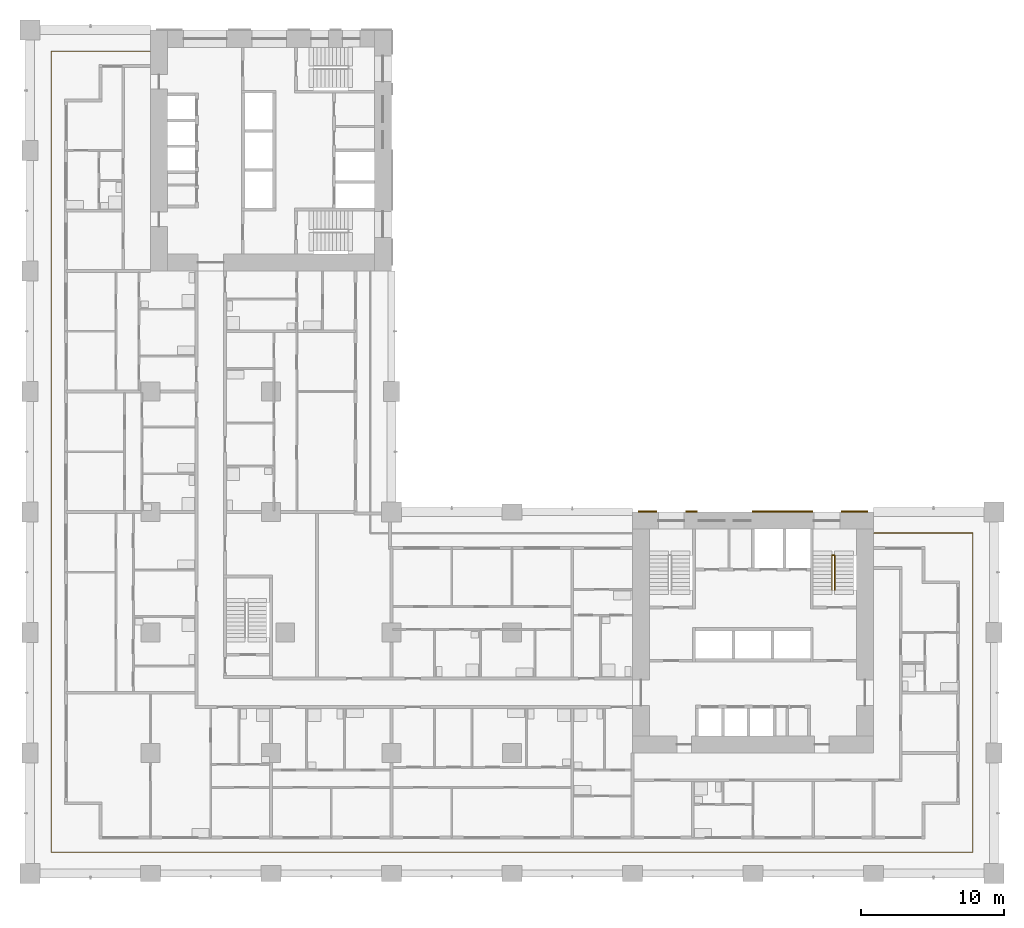
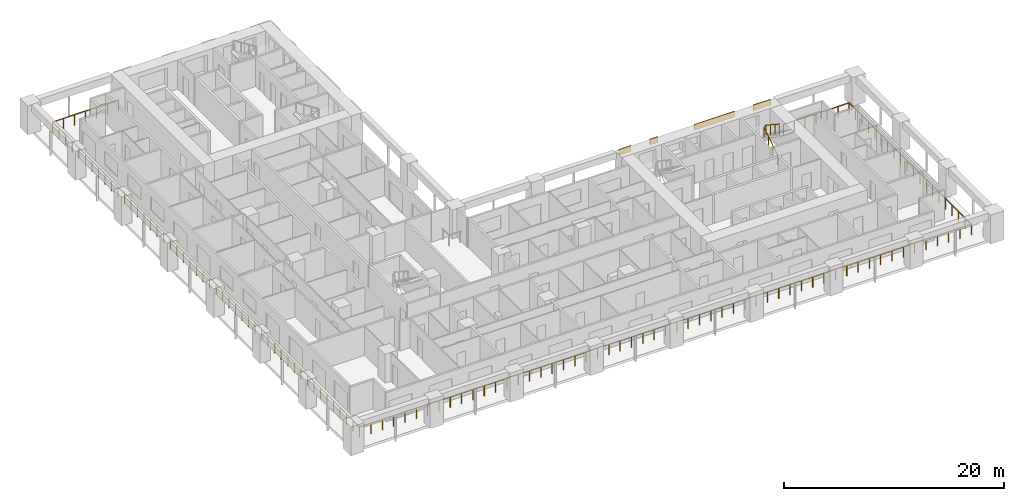
# One storey, part 14 of 19: 4 shading devices, 2 railings.
"""IFC4 building model written with IfcOpenShell, lengths in metres."""

from ifc_helpers import new_model, si_unit, direction, frame, origin, origin_2d, place, context, subcontext, project, spatial, rectangle, circle, extrude, material, layer, layer_set, type_object, element, save


model = new_model("IFC4")

# Units and contexts
model_context = context("Model", 3, precision=1e-05, world=origin(), true_north=direction((0.0, 1.0)))
body_context = subcontext(model_context, "Body", "Model", "MODEL_VIEW")
ifc_project = project(units=[si_unit("LENGTHUNIT", "METRE"), si_unit("AREAUNIT", "SQUARE_METRE"), si_unit("VOLUMEUNIT", "CUBIC_METRE"), si_unit("PLANEANGLEUNIT", "RADIAN"), si_unit("MASSUNIT", "GRAM", prefix="KILO")], contexts=[model_context])

# Site, building, storey
site_placement = place(None, origin())
site = spatial("IfcSite", under=ifc_project, at=site_placement, CompositionType="ELEMENT")
building_placement = place(site_placement, origin())
building = spatial("IfcBuilding", under=site, at=building_placement, Name="Vermilion Gate Residences", CompositionType="ELEMENT")
storey_placement = place(building_placement, frame((0.0, 0.0, 49.699951171875)))
storey = spatial("IfcBuildingStorey", under=building, at=storey_placement, Name="L11", CompositionType="ELEMENT", Elevation=49.699951171875)

# Railings
ifc_material_1 = material(Name="Stainless steel and toughened glass", Category="steel")
railing_type_1 = type_object("IfcRailingType", Name="LOGGIA GUARD STEEL AND GLASS 1200", PredefinedType="GUARDRAIL", material=ifc_material_1)
railing_1_placement = place(storey_placement, frame((8.3779296875, 57.324951171875, 0.0)))
element("IfcRailing", 1, at=railing_1_placement, inside=storey, type_object=railing_type_1, Name="Loggia guard", PredefinedType="GUARDRAIL", context=body_context, shape_type="SweptSolid", body=[
    extrude(circle(Radius=0.030029296875, at=origin_2d()), frame((0.0, 0.0, 1.169921875), z_axis=(-1.0, 0.0, 0.0), x_axis=(0.0, -1.0, 0.0)), (0.0, 0.0, 1.0), 6.90283203125),
    extrude(circle(Radius=0.030029296875, at=origin_2d()), frame((-6.90283203125, 0.0, 1.169921875), z_axis=(0.0, -1.0, 0.0), x_axis=(1.0, 0.0, 0.0)), (0.0, 0.0, 1.0), 55.849853515625),
    extrude(circle(Radius=0.030029296875, at=origin_2d()), frame((-6.90283203125, -55.849853515625, 1.169921875), z_axis=(1.0, 0.0, 0.0), x_axis=(0.0, 1.0, 0.0)), (0.0, 0.0, 1.0), 64.25),
    extrude(circle(Radius=0.030029296875, at=origin_2d()), frame((57.34716796875, -55.849853515625, 1.169921875), z_axis=(0.0, 1.0, 0.0), x_axis=(-1.0, 0.0, 0.0)), (0.0, 0.0, 1.0), 22.25),
    extrude(circle(Radius=0.030029296875, at=origin_2d()), frame((57.34716796875, -33.599853515625, 1.169921875), z_axis=(-1.0, 0.0, 0.0), x_axis=(0.0, -1.0, 0.0)), (0.0, 0.0, 1.0), 6.903076171875),
    extrude(circle(Radius=0.02490234375, at=origin_2d()), origin(), (0.0, 0.0, 1.0), 1.139892578125),
    extrude(circle(Radius=0.02490234375, at=origin_2d()), frame((-1.150390625, 0.0, 0.0)), (0.0, 0.0, 1.0), 1.139892578125),
    extrude(circle(Radius=0.02490234375, at=origin_2d()), frame((-2.301025390625, 0.0, 0.0)), (0.0, 0.0, 1.0), 1.139892578125),
    extrude(circle(Radius=0.02490234375, at=origin_2d()), frame((-3.451416015625, 0.0, 0.0)), (0.0, 0.0, 1.0), 1.139892578125),
    extrude(circle(Radius=0.02490234375, at=origin_2d()), frame((-4.601806640625, 0.0, 0.0)), (0.0, 0.0, 1.0), 1.139892578125),
    extrude(circle(Radius=0.02490234375, at=origin_2d()), frame((-5.75244140625, 0.0, 0.0)), (0.0, 0.0, 1.0), 1.139892578125),
    extrude(circle(Radius=0.02490234375, at=origin_2d()), frame((-6.90283203125, 0.0, 0.0)), (0.0, 0.0, 1.0), 1.139892578125),
    extrude(circle(Radius=0.02490234375, at=origin_2d()), frame((-6.90283203125, -1.188232421875, 0.0)), (0.0, 0.0, 1.0), 1.139892578125),
    extrude(circle(Radius=0.02490234375, at=origin_2d()), frame((-6.90283203125, -2.376708984375, 0.0)), (0.0, 0.0, 1.0), 1.139892578125),
    extrude(circle(Radius=0.02490234375, at=origin_2d()), frame((-6.90283203125, -3.56494140625, 0.0)), (0.0, 0.0, 1.0), 1.139892578125),
    extrude(circle(Radius=0.02490234375, at=origin_2d()), frame((-6.90283203125, -4.753173828125, 0.0)), (0.0, 0.0, 1.0), 1.139892578125),
    extrude(circle(Radius=0.02490234375, at=origin_2d()), frame((-6.90283203125, -5.94140625, 0.0)), (0.0, 0.0, 1.0), 1.139892578125),
    extrude(circle(Radius=0.02490234375, at=origin_2d()), frame((-6.90283203125, -7.1298828125, 0.0)), (0.0, 0.0, 1.0), 1.139892578125),
    extrude(circle(Radius=0.02490234375, at=origin_2d()), frame((-6.90283203125, -8.318115234375, 0.0)), (0.0, 0.0, 1.0), 1.139892578125),
    extrude(circle(Radius=0.02490234375, at=origin_2d()), frame((-6.90283203125, -9.50634765625, 0.0)), (0.0, 0.0, 1.0), 1.139892578125),
    extrude(circle(Radius=0.02490234375, at=origin_2d()), frame((-6.90283203125, -10.694580078125, 0.0)), (0.0, 0.0, 1.0), 1.139892578125),
    extrude(circle(Radius=0.02490234375, at=origin_2d()), frame((-6.90283203125, -11.883056640625, 0.0)), (0.0, 0.0, 1.0), 1.139892578125),
    extrude(circle(Radius=0.02490234375, at=origin_2d()), frame((-6.90283203125, -13.0712890625, 0.0)), (0.0, 0.0, 1.0), 1.139892578125),
    extrude(circle(Radius=0.02490234375, at=origin_2d()), frame((-6.90283203125, -14.259521484375, 0.0)), (0.0, 0.0, 1.0), 1.139892578125),
    extrude(circle(Radius=0.02490234375, at=origin_2d()), frame((-6.90283203125, -15.44775390625, 0.0)), (0.0, 0.0, 1.0), 1.139892578125),
    extrude(circle(Radius=0.02490234375, at=origin_2d()), frame((-6.90283203125, -16.63623046875, 0.0)), (0.0, 0.0, 1.0), 1.139892578125),
    extrude(circle(Radius=0.02490234375, at=origin_2d()), frame((-6.90283203125, -17.824462890625, 0.0)), (0.0, 0.0, 1.0), 1.139892578125),
    extrude(circle(Radius=0.02490234375, at=origin_2d()), frame((-6.90283203125, -19.0126953125, 0.0)), (0.0, 0.0, 1.0), 1.139892578125),
    extrude(circle(Radius=0.02490234375, at=origin_2d()), frame((-6.90283203125, -20.200927734375, 0.0)), (0.0, 0.0, 1.0), 1.139892578125),
    extrude(circle(Radius=0.02490234375, at=origin_2d()), frame((-6.90283203125, -21.389404296875, 0.0)), (0.0, 0.0, 1.0), 1.139892578125),
    extrude(circle(Radius=0.02490234375, at=origin_2d()), frame((-6.90283203125, -22.57763671875, 0.0)), (0.0, 0.0, 1.0), 1.139892578125),
    extrude(circle(Radius=0.02490234375, at=origin_2d()), frame((-6.90283203125, -23.765869140625, 0.0)), (0.0, 0.0, 1.0), 1.139892578125),
    extrude(circle(Radius=0.02490234375, at=origin_2d()), frame((-6.90283203125, -24.9541015625, 0.0)), (0.0, 0.0, 1.0), 1.139892578125),
    extrude(circle(Radius=0.02490234375, at=origin_2d()), frame((-6.90283203125, -26.142578125, 0.0)), (0.0, 0.0, 1.0), 1.139892578125),
    extrude(circle(Radius=0.02490234375, at=origin_2d()), frame((-6.90283203125, -27.330810546875, 0.0)), (0.0, 0.0, 1.0), 1.139892578125),
    extrude(circle(Radius=0.02490234375, at=origin_2d()), frame((-6.90283203125, -28.51904296875, 0.0)), (0.0, 0.0, 1.0), 1.139892578125),
    extrude(circle(Radius=0.02490234375, at=origin_2d()), frame((-6.90283203125, -29.707275390625, 0.0)), (0.0, 0.0, 1.0), 1.139892578125),
    extrude(circle(Radius=0.02490234375, at=origin_2d()), frame((-6.90283203125, -30.895751953125, 0.0)), (0.0, 0.0, 1.0), 1.139892578125),
    extrude(circle(Radius=0.02490234375, at=origin_2d()), frame((-6.90283203125, -32.083984375, 0.0)), (0.0, 0.0, 1.0), 1.139892578125),
    extrude(circle(Radius=0.02490234375, at=origin_2d()), frame((-6.90283203125, -33.272216796875, 0.0)), (0.0, 0.0, 1.0), 1.139892578125),
    extrude(circle(Radius=0.02490234375, at=origin_2d()), frame((-6.90283203125, -34.46044921875, 0.0)), (0.0, 0.0, 1.0), 1.139892578125),
    extrude(circle(Radius=0.02490234375, at=origin_2d()), frame((-6.90283203125, -35.64892578125, 0.0)), (0.0, 0.0, 1.0), 1.139892578125),
    extrude(circle(Radius=0.02490234375, at=origin_2d()), frame((-6.90283203125, -36.837158203125, 0.0)), (0.0, 0.0, 1.0), 1.139892578125),
    extrude(circle(Radius=0.02490234375, at=origin_2d()), frame((-6.90283203125, -38.025390625, 0.0)), (0.0, 0.0, 1.0), 1.139892578125),
    extrude(circle(Radius=0.02490234375, at=origin_2d()), frame((-6.90283203125, -39.213623046875, 0.0)), (0.0, 0.0, 1.0), 1.139892578125),
    extrude(circle(Radius=0.02490234375, at=origin_2d()), frame((-6.90283203125, -40.402099609375, 0.0)), (0.0, 0.0, 1.0), 1.139892578125),
    extrude(circle(Radius=0.02490234375, at=origin_2d()), frame((-6.90283203125, -41.59033203125, 0.0)), (0.0, 0.0, 1.0), 1.139892578125),
    extrude(circle(Radius=0.02490234375, at=origin_2d()), frame((-6.90283203125, -42.778564453125, 0.0)), (0.0, 0.0, 1.0), 1.139892578125),
    extrude(circle(Radius=0.02490234375, at=origin_2d()), frame((-6.90283203125, -43.966796875, 0.0)), (0.0, 0.0, 1.0), 1.139892578125),
    extrude(circle(Radius=0.02490234375, at=origin_2d()), frame((-6.90283203125, -45.1552734375, 0.0)), (0.0, 0.0, 1.0), 1.139892578125),
    extrude(circle(Radius=0.02490234375, at=origin_2d()), frame((-6.90283203125, -46.343505859375, 0.0)), (0.0, 0.0, 1.0), 1.139892578125),
    extrude(circle(Radius=0.02490234375, at=origin_2d()), frame((-6.90283203125, -47.53173828125, 0.0)), (0.0, 0.0, 1.0), 1.139892578125),
    extrude(circle(Radius=0.02490234375, at=origin_2d()), frame((-6.90283203125, -48.719970703125, 0.0)), (0.0, 0.0, 1.0), 1.139892578125),
    extrude(circle(Radius=0.02490234375, at=origin_2d()), frame((-6.90283203125, -49.908447265625, 0.0)), (0.0, 0.0, 1.0), 1.139892578125),
    extrude(circle(Radius=0.02490234375, at=origin_2d()), frame((-6.90283203125, -51.0966796875, 0.0)), (0.0, 0.0, 1.0), 1.139892578125),
    extrude(circle(Radius=0.02490234375, at=origin_2d()), frame((-6.90283203125, -52.284912109375, 0.0)), (0.0, 0.0, 1.0), 1.139892578125),
    extrude(circle(Radius=0.02490234375, at=origin_2d()), frame((-6.90283203125, -53.47314453125, 0.0)), (0.0, 0.0, 1.0), 1.139892578125),
    extrude(circle(Radius=0.02490234375, at=origin_2d()), frame((-6.90283203125, -54.66162109375, 0.0)), (0.0, 0.0, 1.0), 1.139892578125),
    extrude(circle(Radius=0.02490234375, at=origin_2d()), frame((-6.90283203125, -55.849853515625, 0.0)), (0.0, 0.0, 1.0), 1.139892578125),
    extrude(circle(Radius=0.02490234375, at=origin_2d()), frame((-5.713134765625, -55.849853515625, 0.0)), (0.0, 0.0, 1.0), 1.139892578125),
    extrude(circle(Radius=0.02490234375, at=origin_2d()), frame((-4.523193359375, -55.849853515625, 0.0)), (0.0, 0.0, 1.0), 1.139892578125),
    extrude(circle(Radius=0.02490234375, at=origin_2d()), frame((-3.33349609375, -55.849853515625, 0.0)), (0.0, 0.0, 1.0), 1.139892578125),
    extrude(circle(Radius=0.02490234375, at=origin_2d()), frame((-2.1435546875, -55.849853515625, 0.0)), (0.0, 0.0, 1.0), 1.139892578125),
    extrude(circle(Radius=0.02490234375, at=origin_2d()), frame((-0.953857421875, -55.849853515625, 0.0)), (0.0, 0.0, 1.0), 1.139892578125),
    extrude(circle(Radius=0.02490234375, at=origin_2d()), frame((0.236083984375, -55.849853515625, 0.0)), (0.0, 0.0, 1.0), 1.139892578125),
    extrude(circle(Radius=0.02490234375, at=origin_2d()), frame((1.42578125, -55.849853515625, 0.0)), (0.0, 0.0, 1.0), 1.139892578125),
    extrude(circle(Radius=0.02490234375, at=origin_2d()), frame((2.61572265625, -55.849853515625, 0.0)), (0.0, 0.0, 1.0), 1.139892578125),
    extrude(circle(Radius=0.02490234375, at=origin_2d()), frame((3.805419921875, -55.849853515625, 0.0)), (0.0, 0.0, 1.0), 1.139892578125),
    extrude(circle(Radius=0.02490234375, at=origin_2d()), frame((4.995361328125, -55.849853515625, 0.0)), (0.0, 0.0, 1.0), 1.139892578125),
    extrude(circle(Radius=0.02490234375, at=origin_2d()), frame((6.18505859375, -55.849853515625, 0.0)), (0.0, 0.0, 1.0), 1.139892578125),
    extrude(circle(Radius=0.02490234375, at=origin_2d()), frame((7.375, -55.849853515625, 0.0)), (0.0, 0.0, 1.0), 1.139892578125),
    extrude(circle(Radius=0.02490234375, at=origin_2d()), frame((8.564697265625, -55.849853515625, 0.0)), (0.0, 0.0, 1.0), 1.139892578125),
    extrude(circle(Radius=0.02490234375, at=origin_2d()), frame((9.754638671875, -55.849853515625, 0.0)), (0.0, 0.0, 1.0), 1.139892578125),
    extrude(circle(Radius=0.02490234375, at=origin_2d()), frame((10.9443359375, -55.849853515625, 0.0)), (0.0, 0.0, 1.0), 1.139892578125),
    extrude(circle(Radius=0.02490234375, at=origin_2d()), frame((12.13427734375, -55.849853515625, 0.0)), (0.0, 0.0, 1.0), 1.139892578125),
    extrude(circle(Radius=0.02490234375, at=origin_2d()), frame((13.323974609375, -55.849853515625, 0.0)), (0.0, 0.0, 1.0), 1.139892578125),
    extrude(circle(Radius=0.02490234375, at=origin_2d()), frame((14.513916015625, -55.849853515625, 0.0)), (0.0, 0.0, 1.0), 1.139892578125),
    extrude(circle(Radius=0.02490234375, at=origin_2d()), frame((15.70361328125, -55.849853515625, 0.0)), (0.0, 0.0, 1.0), 1.139892578125),
    extrude(circle(Radius=0.02490234375, at=origin_2d()), frame((16.8935546875, -55.849853515625, 0.0)), (0.0, 0.0, 1.0), 1.139892578125),
    extrude(circle(Radius=0.02490234375, at=origin_2d()), frame((18.083251953125, -55.849853515625, 0.0)), (0.0, 0.0, 1.0), 1.139892578125),
    extrude(circle(Radius=0.02490234375, at=origin_2d()), frame((19.273193359375, -55.849853515625, 0.0)), (0.0, 0.0, 1.0), 1.139892578125),
    extrude(circle(Radius=0.02490234375, at=origin_2d()), frame((20.462890625, -55.849853515625, 0.0)), (0.0, 0.0, 1.0), 1.139892578125),
    extrude(circle(Radius=0.02490234375, at=origin_2d()), frame((21.65283203125, -55.849853515625, 0.0)), (0.0, 0.0, 1.0), 1.139892578125),
    extrude(circle(Radius=0.02490234375, at=origin_2d()), frame((22.842529296875, -55.849853515625, 0.0)), (0.0, 0.0, 1.0), 1.139892578125),
    extrude(circle(Radius=0.02490234375, at=origin_2d()), frame((24.032470703125, -55.849853515625, 0.0)), (0.0, 0.0, 1.0), 1.139892578125),
    extrude(circle(Radius=0.02490234375, at=origin_2d()), frame((25.22216796875, -55.849853515625, 0.0)), (0.0, 0.0, 1.0), 1.139892578125),
    extrude(circle(Radius=0.02490234375, at=origin_2d()), frame((26.411865234375, -55.849853515625, 0.0)), (0.0, 0.0, 1.0), 1.139892578125),
    extrude(circle(Radius=0.02490234375, at=origin_2d()), frame((27.601806640625, -55.849853515625, 0.0)), (0.0, 0.0, 1.0), 1.139892578125),
    extrude(circle(Radius=0.02490234375, at=origin_2d()), frame((28.79150390625, -55.849853515625, 0.0)), (0.0, 0.0, 1.0), 1.139892578125),
    extrude(circle(Radius=0.02490234375, at=origin_2d()), frame((29.9814453125, -55.849853515625, 0.0)), (0.0, 0.0, 1.0), 1.139892578125),
    extrude(circle(Radius=0.02490234375, at=origin_2d()), frame((31.171142578125, -55.849853515625, 0.0)), (0.0, 0.0, 1.0), 1.139892578125),
    extrude(circle(Radius=0.02490234375, at=origin_2d()), frame((32.361083984375, -55.849853515625, 0.0)), (0.0, 0.0, 1.0), 1.139892578125),
    extrude(circle(Radius=0.02490234375, at=origin_2d()), frame((33.55078125, -55.849853515625, 0.0)), (0.0, 0.0, 1.0), 1.139892578125),
    extrude(circle(Radius=0.02490234375, at=origin_2d()), frame((34.74072265625, -55.849853515625, 0.0)), (0.0, 0.0, 1.0), 1.139892578125),
    extrude(circle(Radius=0.02490234375, at=origin_2d()), frame((35.930419921875, -55.849853515625, 0.0)), (0.0, 0.0, 1.0), 1.139892578125),
    extrude(circle(Radius=0.02490234375, at=origin_2d()), frame((37.120361328125, -55.849853515625, 0.0)), (0.0, 0.0, 1.0), 1.139892578125),
    extrude(circle(Radius=0.02490234375, at=origin_2d()), frame((38.31005859375, -55.849853515625, 0.0)), (0.0, 0.0, 1.0), 1.139892578125),
    extrude(circle(Radius=0.02490234375, at=origin_2d()), frame((39.5, -55.849853515625, 0.0)), (0.0, 0.0, 1.0), 1.139892578125),
    extrude(circle(Radius=0.02490234375, at=origin_2d()), frame((40.689697265625, -55.849853515625, 0.0)), (0.0, 0.0, 1.0), 1.139892578125),
    extrude(circle(Radius=0.02490234375, at=origin_2d()), frame((41.879638671875, -55.849853515625, 0.0)), (0.0, 0.0, 1.0), 1.139892578125),
    extrude(circle(Radius=0.02490234375, at=origin_2d()), frame((43.0693359375, -55.849853515625, 0.0)), (0.0, 0.0, 1.0), 1.139892578125),
    extrude(circle(Radius=0.02490234375, at=origin_2d()), frame((44.25927734375, -55.849853515625, 0.0)), (0.0, 0.0, 1.0), 1.139892578125),
    extrude(circle(Radius=0.02490234375, at=origin_2d()), frame((45.448974609375, -55.849853515625, 0.0)), (0.0, 0.0, 1.0), 1.139892578125),
    extrude(circle(Radius=0.02490234375, at=origin_2d()), frame((46.638916015625, -55.849853515625, 0.0)), (0.0, 0.0, 1.0), 1.139892578125),
    extrude(circle(Radius=0.02490234375, at=origin_2d()), frame((47.82861328125, -55.849853515625, 0.0)), (0.0, 0.0, 1.0), 1.139892578125),
    extrude(circle(Radius=0.02490234375, at=origin_2d()), frame((49.0185546875, -55.849853515625, 0.0)), (0.0, 0.0, 1.0), 1.139892578125),
    extrude(circle(Radius=0.02490234375, at=origin_2d()), frame((50.208251953125, -55.849853515625, 0.0)), (0.0, 0.0, 1.0), 1.139892578125),
    extrude(circle(Radius=0.02490234375, at=origin_2d()), frame((51.398193359375, -55.849853515625, 0.0)), (0.0, 0.0, 1.0), 1.139892578125),
    extrude(circle(Radius=0.02490234375, at=origin_2d()), frame((52.587890625, -55.849853515625, 0.0)), (0.0, 0.0, 1.0), 1.139892578125),
    extrude(circle(Radius=0.02490234375, at=origin_2d()), frame((53.77783203125, -55.849853515625, 0.0)), (0.0, 0.0, 1.0), 1.139892578125),
    extrude(circle(Radius=0.02490234375, at=origin_2d()), frame((54.967529296875, -55.849853515625, 0.0)), (0.0, 0.0, 1.0), 1.139892578125),
    extrude(circle(Radius=0.02490234375, at=origin_2d()), frame((56.157470703125, -55.849853515625, 0.0)), (0.0, 0.0, 1.0), 1.139892578125),
    extrude(circle(Radius=0.02490234375, at=origin_2d()), frame((57.34716796875, -55.849853515625, 0.0)), (0.0, 0.0, 1.0), 1.139892578125),
    extrude(circle(Radius=0.02490234375, at=origin_2d()), frame((57.34716796875, -54.6787109375, 0.0)), (0.0, 0.0, 1.0), 1.139892578125),
    extrude(circle(Radius=0.02490234375, at=origin_2d()), frame((57.34716796875, -53.5078125, 0.0)), (0.0, 0.0, 1.0), 1.139892578125),
    extrude(circle(Radius=0.02490234375, at=origin_2d()), frame((57.34716796875, -52.336669921875, 0.0)), (0.0, 0.0, 1.0), 1.139892578125),
    extrude(circle(Radius=0.02490234375, at=origin_2d()), frame((57.34716796875, -51.16552734375, 0.0)), (0.0, 0.0, 1.0), 1.139892578125),
    extrude(circle(Radius=0.02490234375, at=origin_2d()), frame((57.34716796875, -49.99462890625, 0.0)), (0.0, 0.0, 1.0), 1.139892578125),
    extrude(circle(Radius=0.02490234375, at=origin_2d()), frame((57.34716796875, -48.823486328125, 0.0)), (0.0, 0.0, 1.0), 1.139892578125),
    extrude(circle(Radius=0.02490234375, at=origin_2d()), frame((57.34716796875, -47.652587890625, 0.0)), (0.0, 0.0, 1.0), 1.139892578125),
    extrude(circle(Radius=0.02490234375, at=origin_2d()), frame((57.34716796875, -46.4814453125, 0.0)), (0.0, 0.0, 1.0), 1.139892578125),
    extrude(circle(Radius=0.02490234375, at=origin_2d()), frame((57.34716796875, -45.310302734375, 0.0)), (0.0, 0.0, 1.0), 1.139892578125),
    extrude(circle(Radius=0.02490234375, at=origin_2d()), frame((57.34716796875, -44.139404296875, 0.0)), (0.0, 0.0, 1.0), 1.139892578125),
    extrude(circle(Radius=0.02490234375, at=origin_2d()), frame((57.34716796875, -42.96826171875, 0.0)), (0.0, 0.0, 1.0), 1.139892578125),
    extrude(circle(Radius=0.02490234375, at=origin_2d()), frame((57.34716796875, -41.797119140625, 0.0)), (0.0, 0.0, 1.0), 1.139892578125),
    extrude(circle(Radius=0.02490234375, at=origin_2d()), frame((57.34716796875, -40.626220703125, 0.0)), (0.0, 0.0, 1.0), 1.139892578125),
    extrude(circle(Radius=0.02490234375, at=origin_2d()), frame((57.34716796875, -39.455078125, 0.0)), (0.0, 0.0, 1.0), 1.139892578125),
    extrude(circle(Radius=0.02490234375, at=origin_2d()), frame((57.34716796875, -38.2841796875, 0.0)), (0.0, 0.0, 1.0), 1.139892578125),
    extrude(circle(Radius=0.02490234375, at=origin_2d()), frame((57.34716796875, -37.113037109375, 0.0)), (0.0, 0.0, 1.0), 1.139892578125),
    extrude(circle(Radius=0.02490234375, at=origin_2d()), frame((57.34716796875, -35.94189453125, 0.0)), (0.0, 0.0, 1.0), 1.139892578125),
    extrude(circle(Radius=0.02490234375, at=origin_2d()), frame((57.34716796875, -34.77099609375, 0.0)), (0.0, 0.0, 1.0), 1.139892578125),
    extrude(circle(Radius=0.02490234375, at=origin_2d()), frame((57.34716796875, -33.599853515625, 0.0)), (0.0, 0.0, 1.0), 1.139892578125),
    extrude(circle(Radius=0.02490234375, at=origin_2d()), frame((56.19677734375, -33.599853515625, 0.0)), (0.0, 0.0, 1.0), 1.139892578125),
    extrude(circle(Radius=0.02490234375, at=origin_2d()), frame((55.046142578125, -33.599853515625, 0.0)), (0.0, 0.0, 1.0), 1.139892578125),
    extrude(circle(Radius=0.02490234375, at=origin_2d()), frame((53.8955078125, -33.599853515625, 0.0)), (0.0, 0.0, 1.0), 1.139892578125),
    extrude(circle(Radius=0.02490234375, at=origin_2d()), frame((52.7451171875, -33.599853515625, 0.0)), (0.0, 0.0, 1.0), 1.139892578125),
    extrude(circle(Radius=0.02490234375, at=origin_2d()), frame((51.5947265625, -33.599853515625, 0.0)), (0.0, 0.0, 1.0), 1.139892578125),
    extrude(circle(Radius=0.02490234375, at=origin_2d()), frame((50.444091796875, -33.599853515625, 0.0)), (0.0, 0.0, 1.0), 1.139892578125),
])
ifc_material_2 = material(Name="Steel S355", Category="steel")
railing_type_2 = type_object("IfcRailingType", Name="STAIR GUARD 1100 STEEL", PredefinedType="GUARDRAIL", material=ifc_material_2)
railing_2_placement = place(storey_placement, frame((55.89990234375, 19.75, 0.175048828125)))
element("IfcRailing", 2, at=railing_2_placement, inside=storey, type_object=railing_type_2, Name="Stair well guard STA2-11", PredefinedType="GUARDRAIL", context=body_context, shape_type="SweptSolid", body=[
    extrude(circle(Radius=0.02392578125, at=origin_2d()), frame((0.0, 0.0, 1.076171875), z_axis=(0.0, 0.839153699163, 0.543894354798), x_axis=(-1.0, 0.0, 0.0)), (0.0, 0.0, 1.0), 2.895751953125),
    extrude(circle(Radius=0.02392578125, at=origin_2d()), frame((0.0, 2.429931640625, 2.65087890625), z_axis=(0.752804132164, 0.0, 0.658244588734), x_axis=(0.0, 1.0, 0.0)), (0.0, 0.0, 1.0), 0.265869140625),
    extrude(circle(Radius=0.02392578125, at=origin_2d()), frame((0.2001953125, 2.429931640625, 2.826171875), z_axis=(0.0, -0.839153699163, 0.543894354798), x_axis=(1.0, 0.0, 0.0)), (0.0, 0.0, 1.0), 2.895751953125),
    extrude(circle(Radius=0.02099609375, at=origin_2d()), origin(), (0.0, 0.0, 1.0), 1.052001953125),
    extrude(circle(Radius=0.02099609375, at=origin_2d()), frame((0.0, 0.81005859375, 0.52490234375)), (0.0, 0.0, 1.0), 1.052001953125),
    extrude(circle(Radius=0.02099609375, at=origin_2d()), frame((0.0, 1.619873046875, 1.050048828125)), (0.0, 0.0, 1.0), 1.052001953125),
    extrude(circle(Radius=0.02099609375, at=origin_2d()), frame((0.0, 2.429931640625, 1.574951171875)), (0.0, 0.0, 1.0), 1.052001953125),
    extrude(circle(Radius=0.02099609375, at=origin_2d()), frame((0.2001953125, 2.429931640625, 1.75)), (0.0, 0.0, 1.0), 1.052001953125),
    extrude(circle(Radius=0.02099609375, at=origin_2d()), frame((0.2001953125, 1.619873046875, 2.27490234375)), (0.0, 0.0, 1.0), 1.052001953125),
    extrude(circle(Radius=0.02099609375, at=origin_2d()), frame((0.2001953125, 0.81005859375, 2.800048828125)), (0.0, 0.0, 1.0), 1.052001953125),
    extrude(circle(Radius=0.02099609375, at=origin_2d()), frame((0.2001953125, 0.0, 3.324951171875)), (0.0, 0.0, 1.0), 1.052001953125),
])

# Shading devices
ifc_material_3 = material(Name="Extruded terracotta", Category="masonry")
ifc_layer = layer(ifc_material_3, 0.10009765625)
ifc_layer_set = layer_set([ifc_layer], Name="TERRACOTTA SPANDREL BAND 600 X 100")
shading_device_type = type_object("IfcShadingDeviceType", Name="TERRACOTTA SPANDREL BAND 600 X 100", PredefinedType="USERDEFINED", material=ifc_layer_set)
shading_device_1_placement = place(storey_placement, frame((43.050048828125, 25.25, 2.6201171875), z_axis=(0.0, 0.0, 1.0), x_axis=(1.0, 0.0, 0.0)))
element("IfcShadingDevice", 3, at=shading_device_1_placement, inside=storey, type_object=shading_device_type, Name="SPANDREL BAND", ObjectType="BAND", PredefinedType="USERDEFINED", context=body_context, shape_type="SweptSolid", body=[
    extrude(rectangle(XDim=1.300048828125, YDim=0.10009765625, at=origin_2d()), origin(), (0.0, 0.0, 1.0), 0.60009765625),
])
shading_device_2_placement = place(storey_placement, frame((46.112548828125, 25.25, 2.6201171875), z_axis=(0.0, 0.0, 1.0), x_axis=(1.0, 0.0, 0.0)))
element("IfcShadingDevice", 4, at=shading_device_2_placement, inside=storey, type_object=shading_device_type, Name="SPANDREL BAND", ObjectType="BAND", PredefinedType="USERDEFINED", context=body_context, shape_type="SweptSolid", body=[
    extrude(rectangle(XDim=0.824951171875, YDim=0.10009765625, at=origin_2d()), origin(), (0.0, 0.0, 1.0), 0.60009765625),
])
shading_device_3_placement = place(storey_placement, frame((52.449951171875, 25.25, 2.6201171875), z_axis=(0.0, 0.0, 1.0), x_axis=(1.0, 0.0, 0.0)))
element("IfcShadingDevice", 5, at=shading_device_3_placement, inside=storey, type_object=shading_device_type, Name="SPANDREL BAND", ObjectType="BAND", PredefinedType="USERDEFINED", context=body_context, shape_type="SweptSolid", body=[
    extrude(rectangle(XDim=4.199951171875, YDim=0.10009765625, at=origin_2d()), origin(), (0.0, 0.0, 1.0), 0.60009765625),
])
shading_device_4_placement = place(storey_placement, frame((57.47509765625, 25.25, 2.6201171875), z_axis=(0.0, 0.0, 1.0), x_axis=(1.0, 0.0, 0.0)))
element("IfcShadingDevice", 6, at=shading_device_4_placement, inside=storey, type_object=shading_device_type, Name="SPANDREL BAND", ObjectType="BAND", PredefinedType="USERDEFINED", context=body_context, shape_type="SweptSolid", body=[
    extrude(rectangle(XDim=1.85009765625, YDim=0.10009765625, at=origin_2d()), origin(), (0.0, 0.0, 1.0), 0.60009765625),
])

save(model, "model.ifc")
